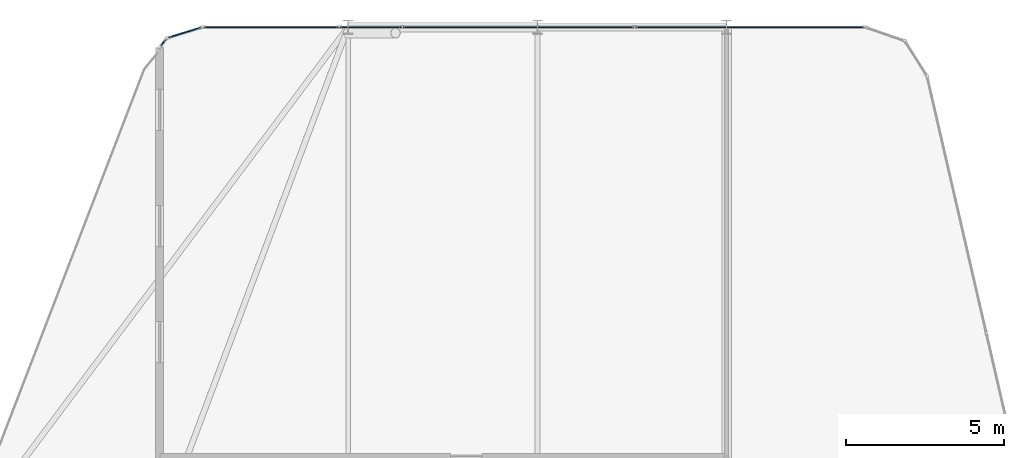
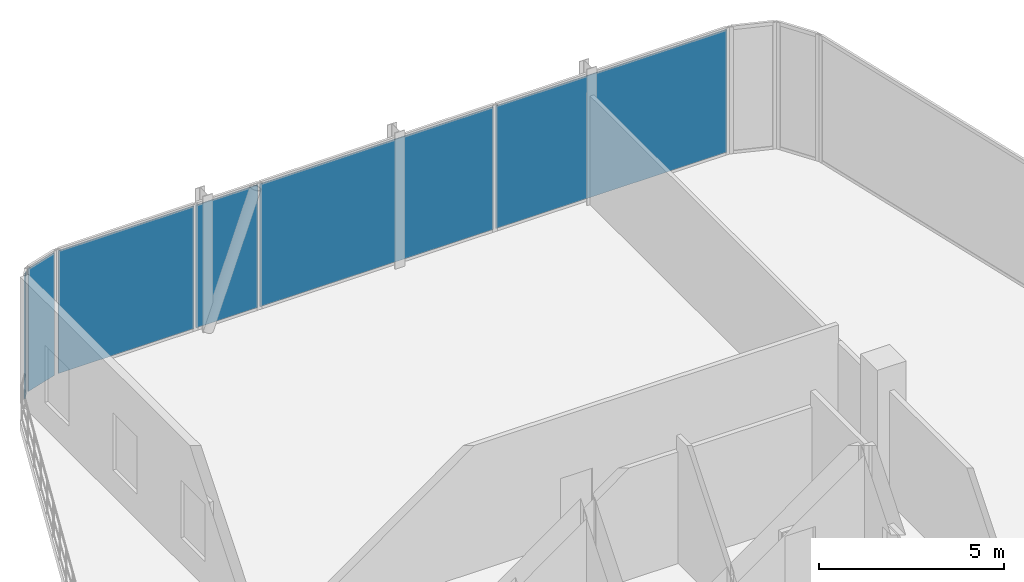
# One storey, part 26 of 31: 6 plates, 5 elements without a shape of their own.
"""IFC4 building model written with IfcOpenShell, lengths in metres."""

from ifc_helpers import new_model, si_unit, direction, frame, origin, origin_2d, place, context, subcontext, project, spatial, rectangle, extrude, material, layer, layer_set, type_object, element, aggregate, save


model = new_model("IFC4")

# Units and contexts
model_context = context("Model", 3, precision=1e-05, world=origin(), true_north=direction((0.0, 1.0)))
body_context = subcontext(model_context, "Body", "Model", "MODEL_VIEW")
ifc_project = project(units=[si_unit("LENGTHUNIT", "METRE"), si_unit("AREAUNIT", "SQUARE_METRE"), si_unit("VOLUMEUNIT", "CUBIC_METRE"), si_unit("PLANEANGLEUNIT", "RADIAN"), si_unit("MASSUNIT", "GRAM", prefix="KILO")], contexts=[model_context])

# Site, building, storey
site_placement = place(None, origin())
site = spatial("IfcSite", under=ifc_project, at=site_placement, CompositionType="ELEMENT")
building_placement = place(site_placement, origin())
building = spatial("IfcBuilding", under=site, at=building_placement, Name="Keshet Zoharim Tower", CompositionType="ELEMENT")
storey_placement = place(building_placement, frame((0.0, 0.0, 183.89990234375)))
storey = spatial("IfcBuildingStorey", under=building, at=storey_placement, Name="L45", CompositionType="ELEMENT", Elevation=183.89990234375)

# Curtain wall, plate
ifc_material_1 = material(Name="Aluminium 6063-T6", Category="aluminium")
ifc_layer_1 = layer(ifc_material_1, 0.139892578125)
ifc_layer_set_1 = layer_set([ifc_layer_1], Name="Aluminium 6063-T6")
curtain_wall_type = type_object("IfcCurtainWallType", Name="CW-SYS-05", PredefinedType="NOTDEFINED", material=ifc_layer_set_1)
curtain_wall_1_placement = place(storey_placement, origin())
curtain_wall_1 = element("IfcCurtainWall", 1, at=curtain_wall_1_placement, inside=storey, type_object=curtain_wall_type, Name="L45 Unitised Curtain Wall 01", PredefinedType="NOTDEFINED")
ifc_material_2 = material(Name="Insulated Low-E Clear Glass", Category="glass")
ifc_layer_2 = layer(ifc_material_2, 0.031982421875)
ifc_layer_set_2 = layer_set([ifc_layer_2], Name="Insulated Low-E Clear Glass")
plate_type_1 = type_object("IfcPlateType", Name="CWP-02", PredefinedType="CURTAIN_PANEL", material=ifc_layer_set_2)
plate_1_placement = place(storey_placement, frame((18.560791015625, 53.89990234375, 0.0703125), z_axis=(0.0, 0.0, 1.0), x_axis=(1.0, 0.0, 0.0)))
plate_1 = element("IfcPlate", 2, at=plate_1_placement, type_object=plate_type_1, Name="CW-05 panel 1.1", PredefinedType="CURTAIN_PANEL", context=body_context, shape_type="SweptSolid", body=[
    extrude(rectangle(XDim=4.2333984375, YDim=0.031982421875, at=origin_2d()), origin(), (0.0, 0.0, 1.0), 4.050048828125),
])
aggregate(curtain_wall_1, [plate_1])

# Curtain wall, plates
curtain_wall_2_placement = place(storey_placement, origin())
curtain_wall_2 = element("IfcCurtainWall", 3, at=curtain_wall_2_placement, inside=storey, type_object=curtain_wall_type, Name="L45 Unitised Curtain Wall 01 Part 3", PredefinedType="NOTDEFINED")
plate_2_placement = place(storey_placement, frame((26.399169921875, 53.89990234375, 0.0703125), z_axis=(0.0, 0.0, 1.0), x_axis=(1.0, 0.0, 0.0)))
plate_2 = element("IfcPlate", 4, at=plate_2_placement, type_object=plate_type_1, Name="CW-05 panel 1.1", PredefinedType="CURTAIN_PANEL", context=body_context, shape_type="SweptSolid", body=[
    extrude(rectangle(XDim=7.293212890625, YDim=0.031982421875, at=origin_2d()), origin(), (0.0, 0.0, 1.0), 4.050048828125),
])
plate_3_placement = place(storey_placement, frame((33.727294921875, 53.89990234375, 0.0703125), z_axis=(0.0, 0.0, 1.0), x_axis=(1.0, 0.0, 0.0)))
plate_3 = element("IfcPlate", 5, at=plate_3_placement, type_object=plate_type_1, Name="CW-05 panel 2.1", PredefinedType="CURTAIN_PANEL", context=body_context, shape_type="SweptSolid", body=[
    extrude(rectangle(XDim=7.22314453125, YDim=0.031982421875, at=origin_2d()), origin(), (0.0, 0.0, 1.0), 4.050048828125),
])
aggregate(curtain_wall_2, [plate_2, plate_3])

# Curtain wall, plate
curtain_wall_3_placement = place(storey_placement, origin())
curtain_wall_3 = element("IfcCurtainWall", 6, at=curtain_wall_3_placement, inside=storey, type_object=curtain_wall_type, Name="L45 Unitised Curtain Wall 19", PredefinedType="NOTDEFINED")
plate_4_placement = place(storey_placement, frame((15.130615234375, 53.402587890625, 0.0703125), z_axis=(0.0, 0.0, 1.0), x_axis=(0.602177601083, 0.798362158894, 0.0)))
plate_4 = element("IfcPlate", 7, at=plate_4_placement, type_object=plate_type_1, Name="CW-05 panel 1.1", PredefinedType="CURTAIN_PANEL", context=body_context, shape_type="SweptSolid", body=[
    extrude(rectangle(XDim=0.22705078125, YDim=0.031982421875, at=origin_2d()), origin(), (0.0, 0.0, 1.0), 4.050048828125),
])
aggregate(curtain_wall_3, [plate_4])

curtain_wall_4_placement = place(storey_placement, origin())
curtain_wall_4 = element("IfcCurtainWall", 8, at=curtain_wall_4_placement, inside=storey, type_object=curtain_wall_type, Name="L45 Unitised Curtain Wall 20", PredefinedType="NOTDEFINED")
plate_5_placement = place(storey_placement, frame((15.8076171875, 53.724609375, 0.0703125), z_axis=(0.0, 0.0, 1.0), x_axis=(0.955212151288, 0.295921857984, 0.0)))
plate_5 = element("IfcPlate", 9, at=plate_5_placement, type_object=plate_type_1, Name="CW-05 panel 1.1", PredefinedType="CURTAIN_PANEL", context=body_context, shape_type="SweptSolid", body=[
    extrude(rectangle(XDim=1.046142578125, YDim=0.031982421875, at=origin_2d()), origin(), (0.0, 0.0, 1.0), 4.050048828125),
])
aggregate(curtain_wall_4, [plate_5])

curtain_wall_5_placement = place(storey_placement, origin())
curtain_wall_5 = element("IfcCurtainWall", 10, at=curtain_wall_5_placement, inside=storey, type_object=curtain_wall_type, Name="L45 Unitised Curtain Wall 01 Part 2", PredefinedType="NOTDEFINED")
ifc_material_3 = material(Name="Insulated Aluminium Spandrel Panel", Category="aluminium")
ifc_layer_3 = layer(ifc_material_3, 0.031982421875)
ifc_layer_set_3 = layer_set([ifc_layer_3], Name="Insulated Aluminium Spandrel Panel")
plate_type_2 = type_object("IfcPlateType", Name="CWP-05", PredefinedType="CURTAIN_PANEL", material=ifc_layer_set_3)
plate_6_placement = place(storey_placement, frame((21.715087890625, 53.89990234375, 0.0703125), z_axis=(0.0, 0.0, 1.0), x_axis=(1.0, 0.0, 0.0)))
plate_6 = element("IfcPlate", 11, at=plate_6_placement, type_object=plate_type_2, Name="CW-05 spandrel panel 1.1", PredefinedType="CURTAIN_PANEL", context=body_context, shape_type="SweptSolid", body=[
    extrude(rectangle(XDim=1.93505859375, YDim=0.031982421875, at=origin_2d()), origin(), (0.0, 0.0, 1.0), 4.050048828125),
])
aggregate(curtain_wall_5, [plate_6])

save(model, "model.ifc")
